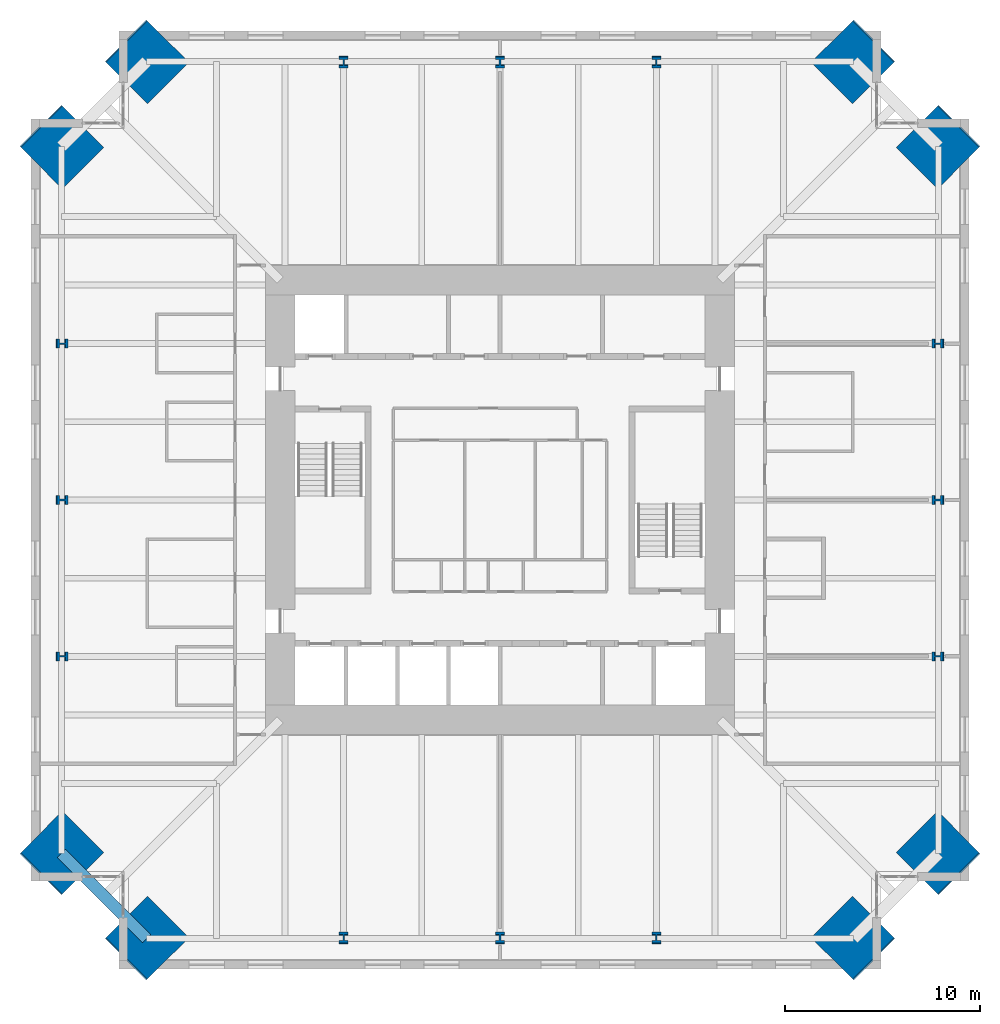
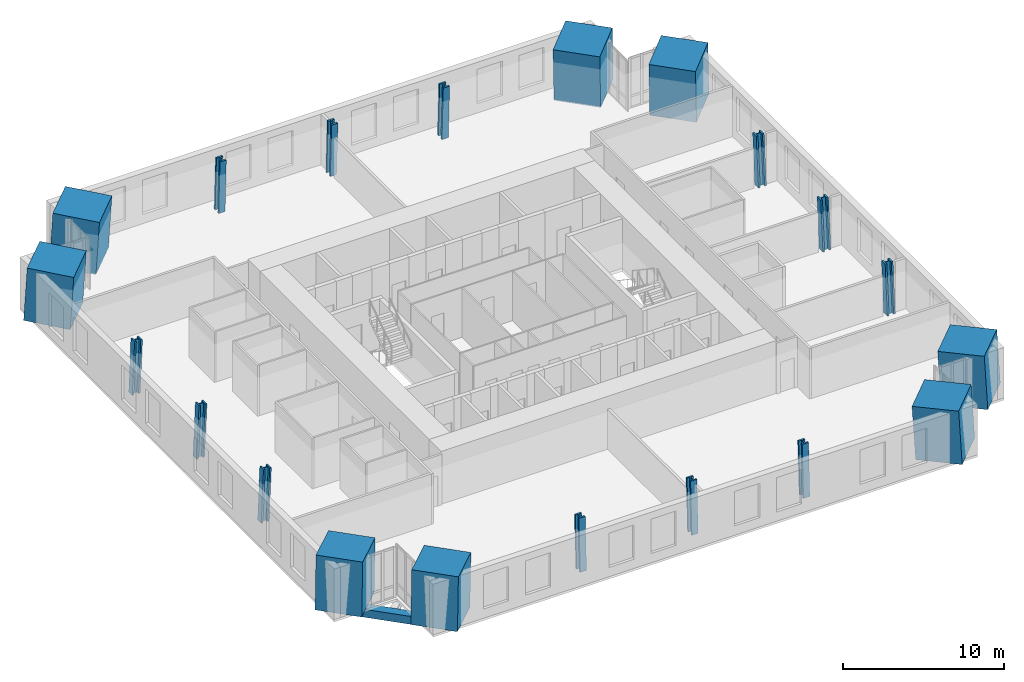
# One storey, part 1 of 15: 20 columns, 1 beam.
"""IFC4 building model written with IfcOpenShell, lengths in metres."""

from ifc_helpers import new_model, si_unit, direction, frame, origin, origin_2d, place, context, subcontext, project, spatial, rectangle, hollow_rectangle, i_section, extrude, material, material_profile, profile_set, type_object, element, save


model = new_model("IFC4")

# Units and contexts
model_context = context("Model", 3, precision=1e-05, world=origin(), true_north=direction((0.0, 1.0)))
body_context = subcontext(model_context, "Body", "Model", "MODEL_VIEW")
ifc_project = project(units=[si_unit("LENGTHUNIT", "METRE"), si_unit("AREAUNIT", "SQUARE_METRE"), si_unit("VOLUMEUNIT", "CUBIC_METRE"), si_unit("PLANEANGLEUNIT", "RADIAN"), si_unit("MASSUNIT", "GRAM", prefix="KILO")], contexts=[model_context])

# Site, building, storey
site_placement = place(None, origin())
site = spatial("IfcSite", under=ifc_project, at=site_placement, CompositionType="ELEMENT")
building_placement = place(site_placement, origin())
building = spatial("IfcBuilding", under=site, at=building_placement, Name="Peilmerk Tower", CompositionType="ELEMENT")
storey_placement = place(building_placement, frame((0.0, 0.0, 209.800048828125)))
storey = spatial("IfcBuildingStorey", under=building, at=storey_placement, Name="L45", CompositionType="ELEMENT", Elevation=209.800048828125)

# Columns
ifc_material_1 = material(Name="Concrete C90/105", Category="concrete")
ifc_material_profile_1 = material_profile(ifc_material_1, rectangle(XDim=3.0, YDim=3.0, at=origin_2d()), Name="RC 3000x3000")
ifc_profile_set_1 = profile_set([ifc_material_profile_1], Name="Concrete C90/105")
column_type_1 = type_object("IfcColumnType", Name="MC3 3000x3000 encased mega column", PredefinedType="COLUMN", material=ifc_profile_set_1)
for number, where, z_axis, x_axis, name in (
    (1, (18.087158203125, 22.43701171875, 0.0), (-0.040278830354, -0.040217894151, 0.998378754189), (0.706571297296, -0.707641859868, 0.0), "Mega column MC3 NE_N L45"),
    (2, (22.43701171875, 18.087158203125, 0.0), (-0.040217894151, -0.040278830354, 0.998378754189), (0.707641859868, -0.706571297296, 0.0), "Mega column MC3 NE_E L45"),
    (3, (22.43701171875, -18.087158203125, 0.0), (-0.040217894151, 0.040278830354, 0.998378754189), (-0.707641859868, -0.706571297296, 0.0), "Mega column MC3 SE_E L45"),
    (4, (18.087158203125, -22.43701171875, 0.0), (-0.040278830354, 0.040217894151, 0.998378754189), (-0.706571297296, -0.707641859868, 0.0), "Mega column MC3 SE_S L45"),
    (5, (-18.087158203125, -22.43701171875, 0.0), (0.040278830354, 0.040217894151, 0.998378754189), (-0.706571297296, 0.707641859868, 0.0), "Mega column MC3 SW_S L45"),
    (6, (-22.43701171875, -18.087158203125, 0.0), (0.040217894151, 0.040278830354, 0.998378754189), (-0.707641859868, 0.706571297296, 0.0), "Mega column MC3 SW_W L45"),
    (7, (-22.43701171875, 18.087158203125, 0.0), (0.040217894151, -0.040278830354, 0.998378754189), (0.707641859868, 0.706571297296, 0.0), "Mega column MC3 NW_W L45"),
    (8, (-18.087158203125, 22.43701171875, 0.0), (0.040278830354, -0.040217894151, 0.998378754189), (0.706571297296, 0.707641859868, 0.0), "Mega column MC3 NW_N L45"),
):
    element("IfcColumn", number, at=place(storey_placement, frame(where, z_axis=z_axis, x_axis=x_axis)), inside=storey, type_object=column_type_1, Name=name, PredefinedType="COLUMN", context=body_context, shape_type="SweptSolid", body=[
        extrude(rectangle(XDim=3.0, YDim=3.0, at=origin_2d()), origin(), (0.0, 0.0, 1.0), 4.006591796875),
    ])
ifc_material_2 = material(Name="Steel S460", Category="steel")
ifc_material_profile_2 = material_profile(ifc_material_2, i_section(OverallWidth=0.4541015625, OverallDepth=0.569091796875, WebThickness=0.077880859375, FlangeThickness=0.125, at=origin_2d()), Name="HD 400x1086")
ifc_profile_set_2 = profile_set([ifc_material_profile_2], Name="Steel S460")
column_type_2 = type_object("IfcColumnType", Name="SC6 HD 400x1086 interior column", PredefinedType="COLUMN", material=ifc_profile_set_2)
for number, where, z_axis, x_axis, name in (
    (9, (0.0, 22.43701171875, 0.0), (0.0, -0.040250558339, 0.999189617917), (1.0, 0.0, 0.0), "Perimeter column N+0 L45"),
    (10, (8.0, 22.43701171875, 0.0), (0.0, -0.040250558339, 0.999189617917), (1.0, 0.0, 0.0), "Perimeter column N-8 L45"),
    (11, (-8.0, 22.43701171875, 0.0), (0.0, -0.040250558339, 0.999189617917), (1.0, 0.0, 0.0), "Perimeter column N+8 L45"),
    (12, (22.43701171875, 0.0, 0.0), (-0.040250558339, 0.0, 0.999189617917), (0.0, -1.0, 0.0), "Perimeter column E+0 L45"),
    (13, (22.43701171875, -8.0, 0.0), (-0.040250558339, 0.0, 0.999189617917), (0.0, -1.0, 0.0), "Perimeter column E-8 L45"),
    (14, (22.43701171875, 8.0, 0.0), (-0.040250558339, 0.0, 0.999189617917), (0.0, -1.0, 0.0), "Perimeter column E+8 L45"),
    (15, (0.0, -22.43701171875, 0.0), (0.0, 0.040250558339, 0.999189617917), (-1.0, 0.0, 0.0), "Perimeter column S+0 L45"),
    (16, (-8.0, -22.43701171875, 0.0), (0.0, 0.040250558339, 0.999189617917), (-1.0, 0.0, 0.0), "Perimeter column S-8 L45"),
    (17, (8.0, -22.43701171875, 0.0), (0.0, 0.040250558339, 0.999189617917), (-1.0, 0.0, 0.0), "Perimeter column S+8 L45"),
    (18, (-22.43701171875, 0.0, 0.0), (0.040250558339, 0.0, 0.999189617917), (0.0, 1.0, 0.0), "Perimeter column W+0 L45"),
    (19, (-22.43701171875, 8.0, 0.0), (0.040250558339, 0.0, 0.999189617917), (0.0, 1.0, 0.0), "Perimeter column W-8 L45"),
    (20, (-22.43701171875, -8.0, 0.0), (0.040250558339, 0.0, 0.999189617917), (0.0, 1.0, 0.0), "Perimeter column W+8 L45"),
):
    element("IfcColumn", number, at=place(storey_placement, frame(where, z_axis=z_axis, x_axis=x_axis)), inside=storey, type_object=column_type_2, Name=name, PredefinedType="COLUMN", context=body_context, shape_type="SweptSolid", body=[
        extrude(i_section(OverallWidth=0.4541015625, OverallDepth=0.569091796875, WebThickness=0.077880859375, FlangeThickness=0.125, at=origin_2d()), origin(), (0.0, 0.0, 1.0), 4.003173828125),
    ])

# Beam
ifc_material_profile_3 = material_profile(ifc_material_2, hollow_rectangle(XDim=0.60009765625, YDim=0.60009765625, WallThickness=0.06005859375, at=origin_2d()), Name="BOX 600x600x60")
ifc_profile_set_3 = profile_set([ifc_material_profile_3], Name="Steel S460")
beam_type = type_object("IfcBeamType", Name="B20 BOX 600x600x60 notch beam", PredefinedType="SPANDREL", material=ifc_profile_set_3)
beam_placement = place(storey_placement, frame((-18.087158203125, -22.43701171875, -0.469970703125), z_axis=(-0.707106781187, 0.707106781187, 0.0), x_axis=(-0.707106781187, -0.707106781187, 0.0)))
element("IfcBeam", 21, at=beam_placement, inside=storey, type_object=beam_type, Name="Notch beam L45", PredefinedType="SPANDREL", context=body_context, shape_type="SweptSolid", body=[
    extrude(hollow_rectangle(XDim=0.60009765625, YDim=0.60009765625, WallThickness=0.06005859375, at=origin_2d()), origin(), (0.0, 0.0, 1.0), 6.151611328125),
])

save(model, "model.ifc")
